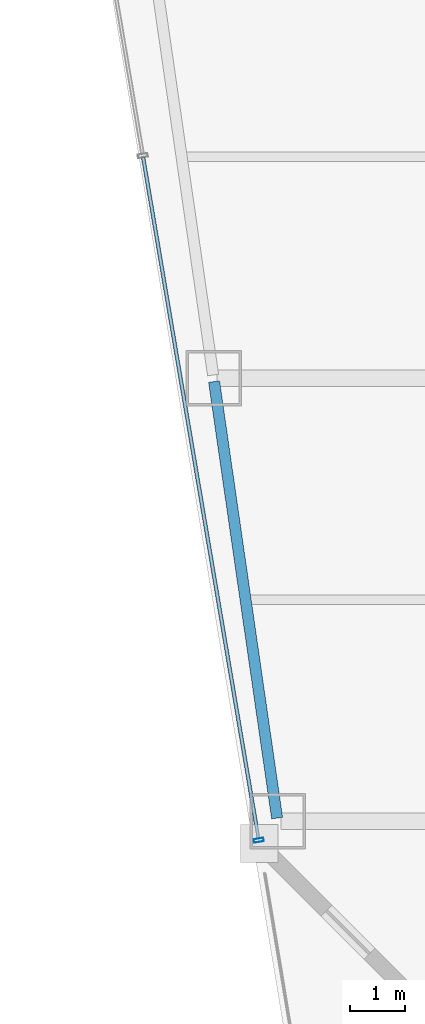
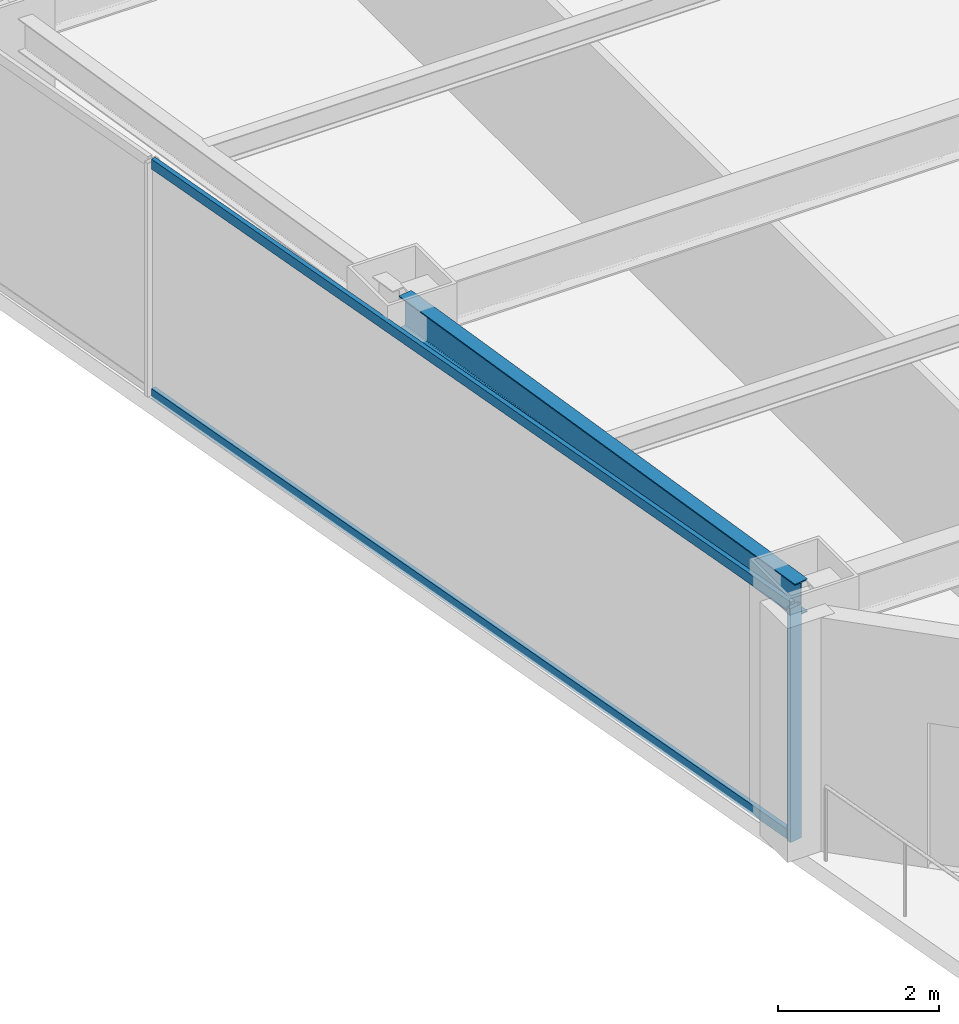
# One storey, part 2 of 31: 3 members, 1 beam, 1 element without a shape of its own.
"""IFC4 building model written with IfcOpenShell, lengths in metres."""

from ifc_helpers import new_model, si_unit, direction, frame, origin, origin_2d, place, context, subcontext, project, spatial, hollow_rectangle, i_section, extrude, material, material_profile, profile_set, type_object, element, aggregate, save


model = new_model("IFC4")

# Units and contexts
model_context = context("Model", 3, precision=1e-05, world=origin(), true_north=direction((0.0, 1.0)))
body_context = subcontext(model_context, "Body", "Model", "MODEL_VIEW")
ifc_project = project(units=[si_unit("LENGTHUNIT", "METRE"), si_unit("AREAUNIT", "SQUARE_METRE"), si_unit("VOLUMEUNIT", "CUBIC_METRE"), si_unit("PLANEANGLEUNIT", "RADIAN"), si_unit("MASSUNIT", "GRAM", prefix="KILO")], contexts=[model_context])

# Site, building, storey
site_placement = place(None, origin())
site = spatial("IfcSite", under=ifc_project, at=site_placement, CompositionType="ELEMENT")
building_placement = place(site_placement, origin())
building = spatial("IfcBuilding", under=site, at=building_placement, Name="Saevonmaru Cultural Tower", CompositionType="ELEMENT")
storey_placement = place(building_placement, frame((0.0, 0.0, 167.60009765625)))
storey = spatial("IfcBuildingStorey", under=building, at=storey_placement, Name="L37", CompositionType="ELEMENT", Elevation=167.60009765625)

# Beam
ifc_material_1 = material(Name="Steel SM355", Category="steel")
ifc_material_profile_1 = material_profile(ifc_material_1, i_section(OverallWidth=0.199951171875, OverallDepth=0.5, WebThickness=0.010009765625, FlangeThickness=0.01611328125, FilletRadius=0.02001953125, at=origin_2d()), Name="H-500x200x10x16")
ifc_profile_set_1 = profile_set([ifc_material_profile_1], Name="Steel SM355")
beam_type = type_object("IfcBeamType", Name="BM-SP-H500", PredefinedType="SPANDREL", material=ifc_profile_set_1)
beam_placement = place(storey_placement, frame((10.619384765625, 16.059326171875, 3.2998046875), z_axis=(-0.142992129437, 0.989723825579, 0.0), x_axis=(-0.989723825579, -0.142992129437, 0.0)))
element("IfcBeam", 1, at=beam_placement, inside=storey, type_object=beam_type, Name="L37 West Splayed Spandrel 1", PredefinedType="SPANDREL", context=body_context, shape_type="SweptSolid", body=[
    extrude(i_section(OverallWidth=0.199951171875, OverallDepth=0.5, WebThickness=0.010009765625, FlangeThickness=0.01611328125, FilletRadius=0.02001953125, at=origin_2d()), origin(), (0.0, 0.0, 1.0), 7.963134765625),
])

# Curtain wall, members
ifc_material_2 = material(Name="Satin Bronze Anodised Aluminium", Category="aluminium")
curtain_wall_type = type_object("IfcCurtainWallType", Name="CW-TYP-A", PredefinedType="NOTDEFINED", material=ifc_material_2)
curtain_wall_placement = place(storey_placement, origin())
curtain_wall = element("IfcCurtainWall", 2, at=curtain_wall_placement, inside=storey, type_object=curtain_wall_type, Name="L37 Unitised Curtain Wall E12", PredefinedType="NOTDEFINED")
ifc_material_profile_2 = material_profile(ifc_material_2, hollow_rectangle(XDim=0.06494140625, YDim=0.179931640625, WallThickness=0.00390625, at=origin_2d()), Name="ALU-MULL-180x65x4")
ifc_profile_set_2 = profile_set([ifc_material_profile_2], Name="Satin Bronze Anodised Aluminium")
member_type_1 = type_object("IfcMemberType", Name="ML-CW-180x65", PredefinedType="MULLION", material=ifc_profile_set_2)
member_1_placement = place(storey_placement, frame((10.287841796875, 15.6591796875, 0.0), z_axis=(0.0, 0.0, 1.0), x_axis=(0.16692169721, -0.985970155228, 0.0)))
member_1 = element("IfcMember", 3, at=member_1_placement, type_object=member_type_1, Name="CW-TW-L37-E12 mullion 4", PredefinedType="MULLION", context=body_context, shape_type="SweptSolid", body=[
    extrude(hollow_rectangle(XDim=0.06494140625, YDim=0.179931640625, WallThickness=0.00390625, at=origin_2d()), origin(), (0.0, 0.0, 1.0), 3.5498046875),
])
ifc_material_profile_3 = material_profile(ifc_material_2, hollow_rectangle(XDim=0.06494140625, YDim=0.14990234375, WallThickness=0.00390625, at=origin_2d()), Name="ALU-TRAN-150x65x4")
ifc_profile_set_3 = profile_set([ifc_material_profile_3], Name="Satin Bronze Anodised Aluminium")
member_type_2 = type_object("IfcMemberType", Name="TR-CW-150x65", PredefinedType="USERDEFINED", material=ifc_profile_set_3)
member_2_placement = place(storey_placement, frame((8.20068359375, 27.98779296875, 0.032470703125), z_axis=(0.166922129366, -0.985970082065, 0.0), x_axis=(0.985970082065, 0.166922129366, 0.0)))
member_2 = element("IfcMember", 4, at=member_2_placement, type_object=member_type_2, Name="CW-TW-L37-E12 transom 3.1", ObjectType="TRANSOM", PredefinedType="USERDEFINED", context=body_context, shape_type="SweptSolid", body=[
    extrude(hollow_rectangle(XDim=0.06494140625, YDim=0.14990234375, WallThickness=0.00390625, at=origin_2d()), origin(), (0.0, 0.0, 1.0), 12.4716796875),
])
member_3_placement = place(storey_placement, frame((8.20068359375, 27.98779296875, 3.517333984375), z_axis=(0.166922129366, -0.985970082065, 0.0), x_axis=(0.985970082065, 0.166922129366, 0.0)))
member_3 = element("IfcMember", 5, at=member_3_placement, type_object=member_type_2, Name="CW-TW-L37-E12 transom 3.2", ObjectType="TRANSOM", PredefinedType="USERDEFINED", context=body_context, shape_type="SweptSolid", body=[
    extrude(hollow_rectangle(XDim=0.06494140625, YDim=0.14990234375, WallThickness=0.00390625, at=origin_2d()), origin(), (0.0, 0.0, 1.0), 12.4716796875),
])
aggregate(curtain_wall, [member_1, member_2, member_3])

save(model, "model.ifc")
